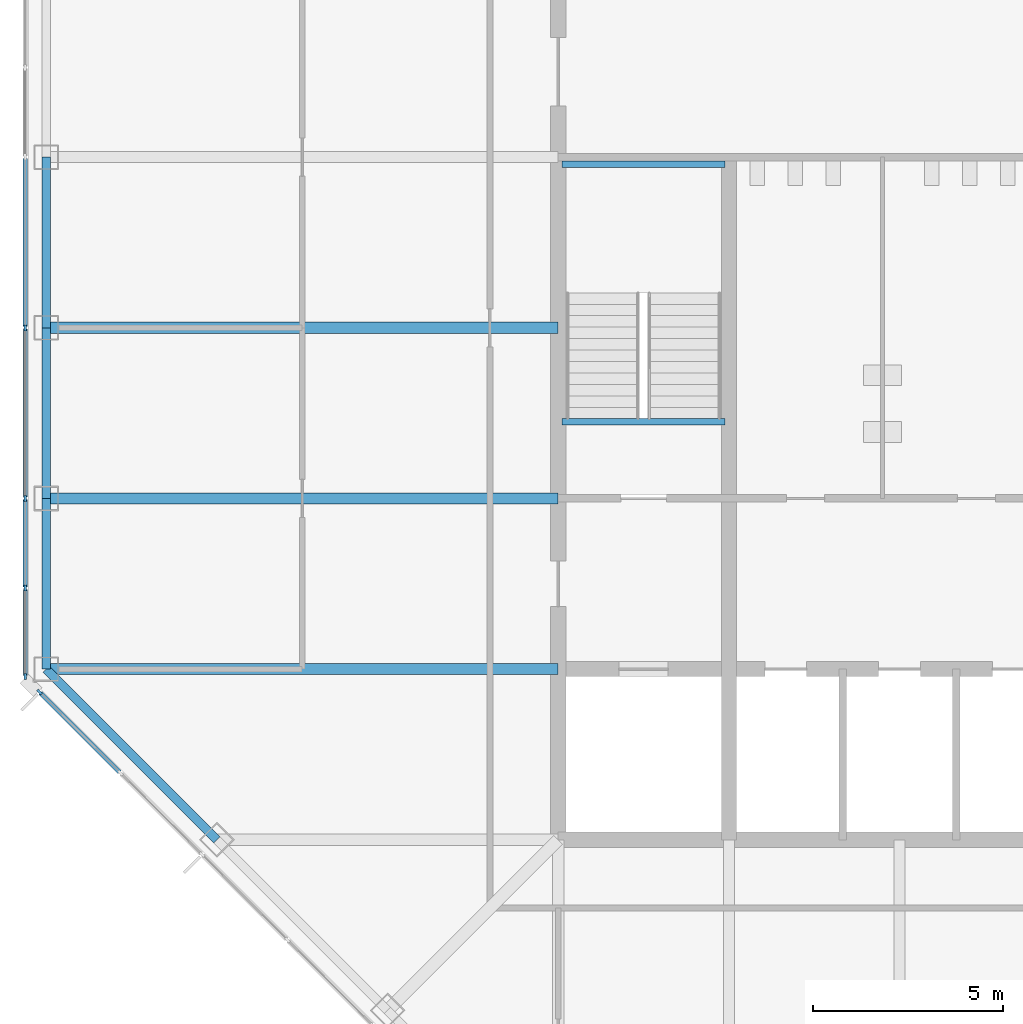
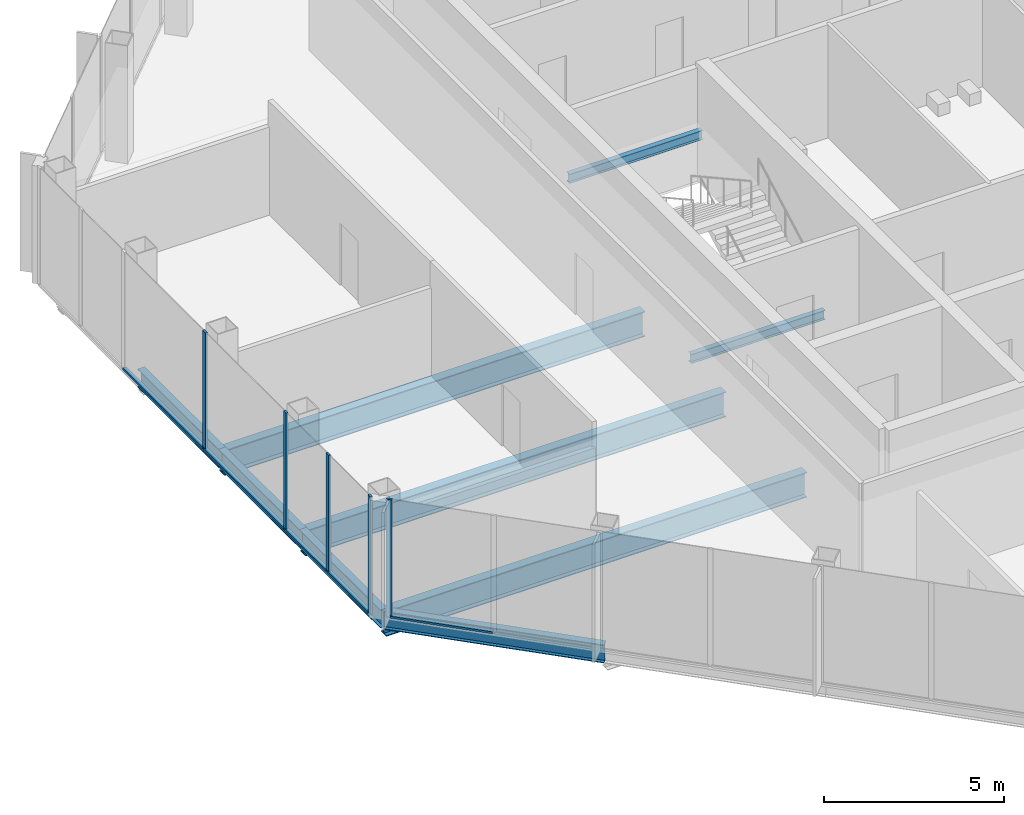
# One storey, part 3 of 14: 10 members, 9 beams, 2 elements without a shape of their own.
"""IFC4 building model written with IfcOpenShell, lengths in metres."""

from ifc_helpers import new_model, si_unit, direction, frame, origin, origin_2d, place, context, subcontext, project, spatial, rectangle, i_section, extrude, material, material_profile, profile_set, type_object, element, aggregate, save


model = new_model("IFC4")

# Units and contexts
model_context = context("Model", 3, precision=1e-05, world=origin(), true_north=direction((0.0, 1.0)))
body_context = subcontext(model_context, "Body", "Model", "MODEL_VIEW")
ifc_project = project(units=[si_unit("LENGTHUNIT", "METRE"), si_unit("AREAUNIT", "SQUARE_METRE"), si_unit("VOLUMEUNIT", "CUBIC_METRE"), si_unit("PLANEANGLEUNIT", "RADIAN"), si_unit("MASSUNIT", "GRAM", prefix="KILO")], contexts=[model_context])

# Site, building, storey
site_placement = place(None, origin())
site = spatial("IfcSite", under=ifc_project, at=site_placement, CompositionType="ELEMENT")
building_placement = place(site_placement, origin())
building = spatial("IfcBuilding", under=site, at=building_placement, Name="Corais Broadcast Tower", CompositionType="ELEMENT")
storey_placement = place(building_placement, frame((0.0, 0.0, 258.60009765625)))
storey = spatial("IfcBuildingStorey", under=building, at=storey_placement, Name="L60", CompositionType="ELEMENT", Elevation=258.60009765625)

# Beams
ifc_material_1 = material(Name="Steel ASTM A572 Grade 50", Category="steel")
ifc_material_profile_1 = material_profile(ifc_material_1, i_section(OverallWidth=0.2939453125, OverallDepth=0.85107421875, WebThickness=0.01611328125, FlangeThickness=0.02685546875, at=origin_2d()), Name="W840x226")
ifc_profile_set_1 = profile_set([ifc_material_profile_1], Name="Steel ASTM A572 Grade 50")
beam_type_1 = type_object("IfcBeamType", Name="Floor beam W840x226", PredefinedType="BEAM", material=ifc_profile_set_1)
for number, where, z_axis, x_axis, name in (
    (1, (0.0, 18.0, -0.585693359375), (1.0, 0.0, 0.0), (0.0, 1.0, 0.0), "B1 E/3 to E/6"),
    (2, (0.0, 22.5, -0.585693359375), (1.0, 0.0, 0.0), (0.0, 1.0, 0.0), "B1 F/3 to F/6"),
    (3, (0.0, 27.0, -0.585693359375), (1.0, 0.0, 0.0), (0.0, 1.0, 0.0), "B1 G/3 to G/6"),
):
    element("IfcBeam", number, at=place(storey_placement, frame(where, z_axis=z_axis, x_axis=x_axis)), inside=storey, type_object=beam_type_1, Name=name, PredefinedType="BEAM", context=body_context, shape_type="SweptSolid", body=[
        extrude(i_section(OverallWidth=0.2939453125, OverallDepth=0.85107421875, WebThickness=0.01611328125, FlangeThickness=0.02685546875, at=origin_2d()), origin(), (0.0, 0.0, 1.0), 13.5),
    ])
ifc_material_2 = material(Name="Steel ASTM A572 Grade 50", Category="steel")
ifc_material_profile_2 = material_profile(ifc_material_2, i_section(OverallWidth=0.1650390625, OverallDepth=0.31005859375, WebThickness=0.005859375, FlangeThickness=0.009765625, at=origin_2d()), Name="W310x38.7")
ifc_profile_set_2 = profile_set([ifc_material_profile_2], Name="Steel ASTM A572 Grade 50")
beam_type_2 = type_object("IfcBeamType", Name="Landing trimmer W310x38.7", PredefinedType="BEAM", material=ifc_profile_set_2)
for number, where, z_axis, x_axis, name in (
    (4, (13.60009765625, 24.52490234375, -0.35498046875), (1.0, 0.0, 0.0), (0.0, 1.0, 0.0), "LT1 stair A landing trimmer L60"),
    (5, (13.60009765625, 31.31005859375, 1.64501953125), (1.0, 0.0, 0.0), (0.0, 1.0, 0.0), "LT1 stair A half landing trimmer L60"),
):
    element("IfcBeam", number, at=place(storey_placement, frame(where, z_axis=z_axis, x_axis=x_axis)), inside=storey, type_object=beam_type_2, Name=name, PredefinedType="BEAM", context=body_context, shape_type="SweptSolid", body=[
        extrude(i_section(OverallWidth=0.1650390625, OverallDepth=0.31005859375, WebThickness=0.005859375, FlangeThickness=0.009765625, at=origin_2d()), origin(), (0.0, 0.0, 1.0), 4.2998046875),
    ])

# Curtain wall, member
ifc_material_3 = material(Name="Aluminium and glass", Category="aluminium")
curtain_wall_type = type_object("IfcCurtainWallType", Name="Unitised fritted curtain wall CW3", PredefinedType="NOTDEFINED", material=ifc_material_3)
curtain_wall_1_placement = place(storey_placement, origin())
curtain_wall_1 = element("IfcCurtainWall", 6, at=curtain_wall_1_placement, inside=storey, type_object=curtain_wall_type, Name="CW3 curtain wall L60 1", PredefinedType="NOTDEFINED")
ifc_material_4 = material(Name="Aluminium 6063-T6", Category="aluminium")
ifc_material_profile_3 = material_profile(ifc_material_4, rectangle(XDim=0.06494140625, YDim=0.159912109375, at=origin_2d()), Name="Mullion CW3 65x160")
ifc_profile_set_3 = profile_set([ifc_material_profile_3], Name="Aluminium 6063-T6")
member_type_1 = type_object("IfcMemberType", Name="Mullion CW3 65x160", PredefinedType="MULLION", material=ifc_profile_set_3)
member_1_placement = place(storey_placement, frame((-0.17333984375, 17.3955078125, 0.0), z_axis=(0.0, 0.0, 1.0), x_axis=(-0.707106781187, -0.707106781187, 0.0)))
member_1 = element("IfcMember", 7, at=member_1_placement, type_object=member_type_1, Name="CW3 mullion 9", PredefinedType="MULLION", context=body_context, shape_type="SweptSolid", body=[
    extrude(rectangle(XDim=0.06494140625, YDim=0.159912109375, at=origin_2d()), origin(), (0.0, 0.0, 1.0), 4.0),
])

# Curtain wall, members
curtain_wall_2_placement = place(storey_placement, origin())
curtain_wall_2 = element("IfcCurtainWall", 8, at=curtain_wall_2_placement, inside=storey, type_object=curtain_wall_type, Name="CW3 curtain wall L60 2", PredefinedType="NOTDEFINED")
member_2_placement = place(storey_placement, frame((-0.550048828125, 17.8046875, 0.0), z_axis=(0.0, 0.0, 1.0), x_axis=(-1.0, 0.0, 0.0)))
member_2 = element("IfcMember", 9, at=member_2_placement, type_object=member_type_1, Name="CW3 mullion 1", PredefinedType="MULLION", context=body_context, shape_type="SweptSolid", body=[
    extrude(rectangle(XDim=0.06494140625, YDim=0.159912109375, at=origin_2d()), origin(), (0.0, 0.0, 1.0), 4.0),
])
member_3_placement = place(storey_placement, frame((-0.550048828125, 20.135986328125, 0.0), z_axis=(0.0, 0.0, 1.0), x_axis=(-1.0, 0.0, 0.0)))
member_3 = element("IfcMember", 10, at=member_3_placement, type_object=member_type_1, Name="CW3 mullion 2", PredefinedType="MULLION", context=body_context, shape_type="SweptSolid", body=[
    extrude(rectangle(XDim=0.06494140625, YDim=0.159912109375, at=origin_2d()), origin(), (0.0, 0.0, 1.0), 4.0),
])
member_4_placement = place(storey_placement, frame((-0.550048828125, 22.5, 0.0), z_axis=(0.0, 0.0, 1.0), x_axis=(-1.0, 0.0, 0.0)))
member_4 = element("IfcMember", 11, at=member_4_placement, type_object=member_type_1, Name="CW3 mullion 3", PredefinedType="MULLION", context=body_context, shape_type="SweptSolid", body=[
    extrude(rectangle(XDim=0.06494140625, YDim=0.159912109375, at=origin_2d()), origin(), (0.0, 0.0, 1.0), 4.0),
])
member_5_placement = place(storey_placement, frame((-0.550048828125, 27.0, 0.0), z_axis=(0.0, 0.0, 1.0), x_axis=(-1.0, 0.0, 0.0)))
member_5 = element("IfcMember", 12, at=member_5_placement, type_object=member_type_1, Name="CW3 mullion 4", PredefinedType="MULLION", context=body_context, shape_type="SweptSolid", body=[
    extrude(rectangle(XDim=0.06494140625, YDim=0.159912109375, at=origin_2d()), origin(), (0.0, 0.0, 1.0), 4.0),
])

# Beams
ifc_material_5 = material(Name="Steel ASTM A572 Grade 50", Category="steel")
ifc_material_profile_4 = material_profile(ifc_material_5, i_section(OverallWidth=0.22998046875, OverallDepth=0.616943359375, WebThickness=0.01318359375, FlangeThickness=0.022216796875, at=origin_2d()), Name="W610x140")
ifc_profile_set_4 = profile_set([ifc_material_profile_4], Name="Steel ASTM A572 Grade 50")
beam_type_3 = type_object("IfcBeamType", Name="Spandrel W610x140", PredefinedType="BEAM", material=ifc_profile_set_4)
beam_placement = place(storey_placement, frame((0.0, 18.0, -0.468505859375), z_axis=(0.707106781187, -0.707106781187, 0.0), x_axis=(0.707106781187, 0.707106781187, 0.0)))
element("IfcBeam", 13, at=beam_placement, inside=storey, type_object=beam_type_3, Name="SB3 E/3 to D/4", PredefinedType="BEAM", context=body_context, shape_type="SweptSolid", body=[
    extrude(i_section(OverallWidth=0.22998046875, OverallDepth=0.616943359375, WebThickness=0.01318359375, FlangeThickness=0.022216796875, at=origin_2d()), origin(), (0.0, 0.0, 1.0), 6.364013671875),
])
for number, where, z_axis, x_axis, name in (
    (14, (0.0, 22.5, -0.468505859375), (0.0, -1.0, 0.0), (1.0, 0.0, 0.0), "SB3 F/3 to E/3"),
    (15, (0.0, 27.0, -0.468505859375), (0.0, -1.0, 0.0), (1.0, 0.0, 0.0), "SB3 G/3 to F/3"),
    (16, (0.0, 31.5, -0.468505859375), (0.0, -1.0, 0.0), (1.0, 0.0, 0.0), "SB3 H/3 to G/3"),
):
    element("IfcBeam", number, at=place(storey_placement, frame(where, z_axis=z_axis, x_axis=x_axis)), inside=storey, type_object=beam_type_3, Name=name, PredefinedType="BEAM", context=body_context, shape_type="SweptSolid", body=[
        extrude(i_section(OverallWidth=0.22998046875, OverallDepth=0.616943359375, WebThickness=0.01318359375, FlangeThickness=0.022216796875, at=origin_2d()), origin(), (0.0, 0.0, 1.0), 4.5),
    ])

# Member
ifc_material_6 = material(Name="Aluminium 6063-T6", Category="aluminium")
ifc_material_profile_5 = material_profile(ifc_material_6, rectangle(XDim=0.1201171875, YDim=0.06494140625, at=origin_2d()), Name="Transom CW3 65x120")
ifc_profile_set_5 = profile_set([ifc_material_profile_5], Name="Aluminium 6063-T6")
member_type_2 = type_object("IfcMemberType", Name="Transom CW3 65x120", PredefinedType="USERDEFINED", material=ifc_profile_set_5)
member_6_placement = place(storey_placement, frame((1.934326171875, 15.287841796875, 0.032470703125), z_axis=(-0.707106781187, 0.707106781187, 0.0), x_axis=(-0.707106781187, -0.707106781187, 0.0)))
member_6 = element("IfcMember", 17, at=member_6_placement, type_object=member_type_2, Name="CW3 transom 8.1", ObjectType="TRANSOM", PredefinedType="USERDEFINED", context=body_context, shape_type="SweptSolid", body=[
    extrude(rectangle(XDim=0.1201171875, YDim=0.06494140625, at=origin_2d()), origin(), (0.0, 0.0, 1.0), 2.9482421875),
])

aggregate(curtain_wall_1, [member_1, member_6])

member_7_placement = place(storey_placement, frame((-0.550048828125, 17.837158203125, 0.032470703125), z_axis=(0.0, 1.0, 0.0), x_axis=(-1.0, 0.0, 0.0)))
member_7 = element("IfcMember", 18, at=member_7_placement, type_object=member_type_2, Name="CW3 transom 1.1", ObjectType="TRANSOM", PredefinedType="USERDEFINED", context=body_context, shape_type="SweptSolid", body=[
    extrude(rectangle(XDim=0.1201171875, YDim=0.06494140625, at=origin_2d()), origin(), (0.0, 0.0, 1.0), 2.266357421875),
])

member_8_placement = place(storey_placement, frame((-0.550048828125, 20.168701171875, 0.032470703125), z_axis=(0.0, 1.0, 0.0), x_axis=(-1.0, 0.0, 0.0)))
member_8 = element("IfcMember", 19, at=member_8_placement, type_object=member_type_2, Name="CW3 transom 2.1", ObjectType="TRANSOM", PredefinedType="USERDEFINED", context=body_context, shape_type="SweptSolid", body=[
    extrude(rectangle(XDim=0.1201171875, YDim=0.06494140625, at=origin_2d()), origin(), (0.0, 0.0, 1.0), 2.298828125),
])

member_9_placement = place(storey_placement, frame((-0.550048828125, 22.532470703125, 0.032470703125), z_axis=(0.0, 1.0, 0.0), x_axis=(-1.0, 0.0, 0.0)))
member_9 = element("IfcMember", 20, at=member_9_placement, type_object=member_type_2, Name="CW3 transom 3.1", ObjectType="TRANSOM", PredefinedType="USERDEFINED", context=body_context, shape_type="SweptSolid", body=[
    extrude(rectangle(XDim=0.1201171875, YDim=0.06494140625, at=origin_2d()), origin(), (0.0, 0.0, 1.0), 4.43505859375),
])

member_10_placement = place(storey_placement, frame((-0.550048828125, 27.032470703125, 0.032470703125), z_axis=(0.0, 1.0, 0.0), x_axis=(-1.0, 0.0, 0.0)))
member_10 = element("IfcMember", 21, at=member_10_placement, type_object=member_type_2, Name="CW3 transom 4.1", ObjectType="TRANSOM", PredefinedType="USERDEFINED", context=body_context, shape_type="SweptSolid", body=[
    extrude(rectangle(XDim=0.1201171875, YDim=0.06494140625, at=origin_2d()), origin(), (0.0, 0.0, 1.0), 4.43505859375),
])

aggregate(curtain_wall_2, [member_2, member_3, member_4, member_5, member_7, member_8, member_9, member_10])

save(model, "model.ifc")
